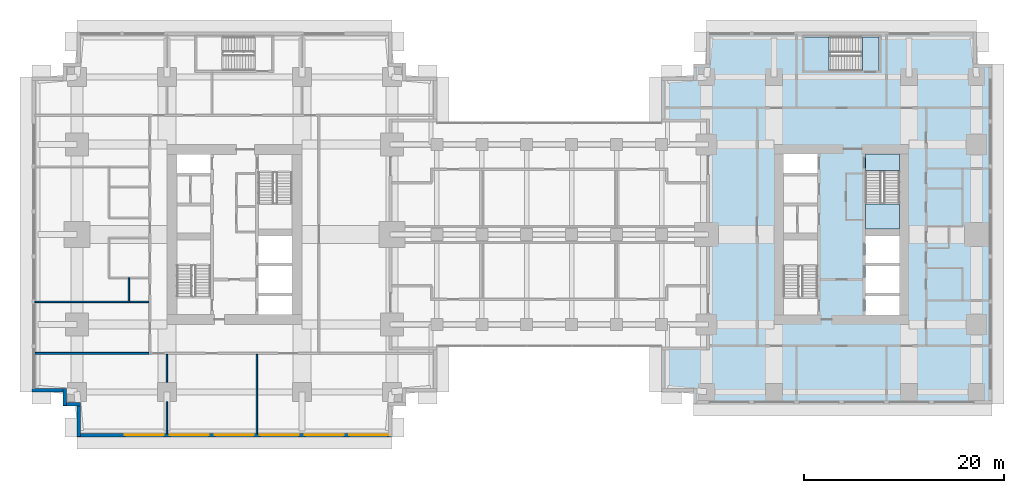
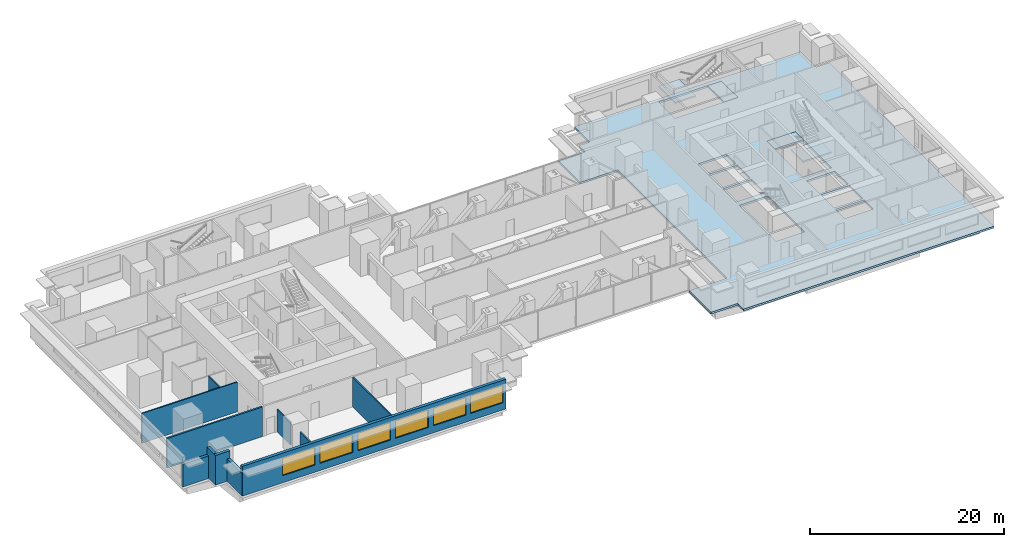
# One storey, part 6 of 16: 11 walls, 6 windows, 5 slabs, 6 openings, 2 elements without a shape of their own.
"""IFC4 building model written with IfcOpenShell, lengths in metres."""

from ifc_helpers import new_model, si_unit, direction, frame, frame_2d, origin, place, context, subcontext, project, spatial, polyline, rectangle, outline, extrude, material, layer, layer_set, type_object, element, fill, aggregate, save


model = new_model("IFC4")

# Units and contexts
model_context = context("Model", 3, precision=1e-05, world=origin(), true_north=direction((0.0, 1.0)))
body_context = subcontext(model_context, "Body", "Model", "MODEL_VIEW")
ifc_project = project(units=[si_unit("LENGTHUNIT", "METRE"), si_unit("AREAUNIT", "SQUARE_METRE"), si_unit("VOLUMEUNIT", "CUBIC_METRE"), si_unit("PLANEANGLEUNIT", "RADIAN"), si_unit("MASSUNIT", "GRAM", prefix="KILO")], contexts=[model_context])

# Site, building, storey
site_placement = place(None, origin())
site = spatial("IfcSite", under=ifc_project, at=site_placement, CompositionType="ELEMENT")
building_placement = place(site_placement, origin())
building = spatial("IfcBuilding", under=site, at=building_placement, Name="Namib Vertical Campus", CompositionType="ELEMENT")
storey_placement = place(building_placement, frame((0.0, 0.0, 113.0)))
storey = spatial("IfcBuildingStorey", under=building, at=storey_placement, Name="L26", CompositionType="ELEMENT", Elevation=113.0)

# Slab
ifc_material_1 = material(Name="Concrete C40/50", Category="concrete")
ifc_layer_1 = layer(ifc_material_1, 0.25)
ifc_layer_set_1 = layer_set([ifc_layer_1], Name="Concrete C40/50")
slab_type_1 = type_object("IfcSlabType", Name="Floor slab 250", PredefinedType="FLOOR", material=ifc_layer_set_1)
slab_1_placement = place(storey_placement, frame((0.0, 0.0, -0.25)))
element("IfcSlab", 1, at=slab_1_placement, inside=storey, type_object=slab_type_1, Name="Floor slab B L26", PredefinedType="FLOOR", context=body_context, shape_type="SweptSolid", body=[
    extrude(outline(polyline([(63.0, 9.0), (63.0, 4.5), (66.199951171875, 4.5), (66.199951171875, 3.300048828125), (96.050048828125, 3.300048828125), (96.050048828125, 37.300048828125), (94.5, 37.300048828125), (94.5, 40.5), (67.5, 40.5), (67.5, 37.300048828125), (66.199951171875, 37.300048828125), (66.199951171875, 36.0), (63.0, 36.0), (63.0, 31.5), (67.5, 31.5), (67.5, 9.0), (63.0, 9.0)]), holes=[polyline([(75.199951171875, 12.199951171875), (78.60009765625, 12.199951171875), (78.60009765625, 19.699951171875), (75.199951171875, 19.699951171875), (75.199951171875, 12.199951171875)]), polyline([(83.39990234375, 20.800048828125), (86.800048828125, 20.800048828125), (86.800048828125, 28.300048828125), (83.39990234375, 28.300048828125), (83.39990234375, 20.800048828125)]), polyline([(83.39990234375, 12.199951171875), (86.800048828125, 12.199951171875), (86.800048828125, 14.10009765625), (83.39990234375, 14.10009765625), (83.39990234375, 12.199951171875)]), polyline([(75.199951171875, 20.39990234375), (78.60009765625, 20.39990234375), (78.60009765625, 23.10009765625), (75.199951171875, 23.10009765625), (75.199951171875, 20.39990234375)]), polyline([(75.199951171875, 23.39990234375), (78.60009765625, 23.39990234375), (78.60009765625, 26.10009765625), (75.199951171875, 26.10009765625), (75.199951171875, 23.39990234375)]), polyline([(75.199951171875, 26.39990234375), (78.60009765625, 26.39990234375), (78.60009765625, 28.300048828125), (75.199951171875, 28.300048828125), (75.199951171875, 26.39990234375)]), polyline([(83.39990234375, 14.39990234375), (86.800048828125, 14.39990234375), (86.800048828125, 17.10009765625), (83.39990234375, 17.10009765625), (83.39990234375, 14.39990234375)]), polyline([(83.39990234375, 17.39990234375), (86.800048828125, 17.39990234375), (86.800048828125, 20.10009765625), (83.39990234375, 20.10009765625), (83.39990234375, 17.39990234375)]), polyline([(77.25, 36.60009765625), (84.75, 36.60009765625), (84.75, 40.0), (77.25, 40.0), (77.25, 36.60009765625)])]), origin(), (0.0, 0.0, 1.0), 0.25),
])

# Stair, slabs
ifc_material_2 = material(Name="Concrete C40/50 precast", Category="concrete")
stair_type = type_object("IfcStairType", Name="Exit stair 4000 rise 24 risers 3400 wide", PredefinedType="HALF_TURN_STAIR", material=ifc_material_2)
stair_1_placement = place(storey_placement, origin())
stair_1 = element("IfcStair", 2, at=stair_1_placement, inside=storey, type_object=stair_type, Name="Exit stair B-S2 L26", PredefinedType="HALF_TURN_STAIR")
ifc_material_3 = material(Name="Concrete C40/50", Category="concrete")
ifc_layer_2 = layer(ifc_material_3, 0.199951171875)
ifc_layer_set_2 = layer_set([ifc_layer_2], Name="Concrete C40/50")
slab_type_2 = type_object("IfcSlabType", Name="Stair landing 200", PredefinedType="LANDING", material=ifc_layer_set_2)
slab_2_placement = place(storey_placement, frame((0.0, 0.0, -0.199951171875)))
slab_2 = element("IfcSlab", 3, at=slab_2_placement, type_object=slab_type_2, Name="B-S2 landing 1", PredefinedType="LANDING", context=body_context, shape_type="SweptSolid", body=[
    extrude(outline(polyline([(83.39990234375, 26.64599609375), (86.800048828125, 26.64599609375), (86.800048828125, 28.300048828125), (83.39990234375, 28.300048828125), (83.39990234375, 26.64599609375)])), origin(), (0.0, 0.0, 1.0), 0.199951171875),
])
slab_3_placement = place(storey_placement, frame((0.0, 0.0, 1.800048828125)))
slab_3 = element("IfcSlab", 4, at=slab_3_placement, type_object=slab_type_2, Name="B-S2 landing 2", PredefinedType="LANDING", context=body_context, shape_type="SweptSolid", body=[
    extrude(outline(polyline([(83.39990234375, 20.800048828125), (86.800048828125, 20.800048828125), (86.800048828125, 23.27392578125), (83.39990234375, 23.27392578125), (83.39990234375, 20.800048828125)])), origin(), (0.0, 0.0, 1.0), 0.199951171875),
])
aggregate(stair_1, [slab_2, slab_3])

stair_2_placement = place(storey_placement, origin())
stair_2 = element("IfcStair", 5, at=stair_2_placement, inside=storey, type_object=stair_type, Name="Exit stair B-S3 L26", PredefinedType="HALF_TURN_STAIR")
slab_4_placement = place(storey_placement, frame((0.0, 0.0, -0.199951171875)))
slab_4 = element("IfcSlab", 6, at=slab_4_placement, type_object=slab_type_2, Name="B-S3 landing 1", PredefinedType="LANDING", context=body_context, shape_type="SweptSolid", body=[
    extrude(outline(polyline([(83.09619140625, 36.60009765625), (83.09619140625, 40.0), (84.75, 40.0), (84.75, 36.60009765625), (83.09619140625, 36.60009765625)])), origin(), (0.0, 0.0, 1.0), 0.199951171875),
])
slab_5_placement = place(storey_placement, frame((0.0, 0.0, 1.800048828125)))
slab_5 = element("IfcSlab", 7, at=slab_5_placement, type_object=slab_type_2, Name="B-S3 landing 2", PredefinedType="LANDING", context=body_context, shape_type="SweptSolid", body=[
    extrude(outline(polyline([(77.25, 36.60009765625), (77.25, 40.0), (79.723876953125, 40.0), (79.723876953125, 36.60009765625), (77.25, 36.60009765625)])), origin(), (0.0, 0.0, 1.0), 0.199951171875),
])
aggregate(stair_2, [slab_4, slab_5])

# Walls
ifc_material_4 = material(Name="Concrete masonry", Category="masonry")
ifc_layer_3 = layer(ifc_material_4, 0.199951171875)
ifc_layer_set_3 = layer_set([ifc_layer_3], Name="Corridor wall 200")
wall_type_1 = type_object("IfcWallType", Name="Corridor wall 200", PredefinedType="SOLIDWALL", material=ifc_layer_set_3)
wall_1_placement = place(storey_placement, frame((0.300048828125, 8.35009765625, 0.0), z_axis=(0.0, 0.0, 1.0), x_axis=(1.0, 0.0, 0.0)))
element("IfcWall", 8, at=wall_1_placement, inside=storey, type_object=wall_type_1, Name="Partition A L26 BSW", PredefinedType="SOLIDWALL", context=body_context, shape_type="SweptSolid", body=[
    extrude(rectangle(XDim=11.39990234375, YDim=0.199951171875, at=frame_2d((5.699951171875, 0.0))), origin(), (0.0, 0.0, 1.0), 3.75),
])
ifc_material_5 = material(Name="Concrete C40/50", Category="concrete")
ifc_layer_4 = layer(ifc_material_5, 0.35009765625)
ifc_layer_set_4 = layer_set([ifc_layer_4], Name="Concrete C40/50")
wall_type_2 = type_object("IfcWallType", Name="External wall 350 bush-hammered concrete", PredefinedType="STANDARD", material=ifc_layer_set_4)
wall_2_placement = place(storey_placement, frame((4.675048828125, 3.429931640625, 0.0), z_axis=(0.0, 0.0, 1.0), x_axis=(0.0, -1.0, 0.0)))
element("IfcWall", 9, at=wall_2_placement, inside=storey, type_object=wall_type_2, Name="External wall L26 F01", PredefinedType="STANDARD", context=body_context, shape_type="SweptSolid", body=[
    extrude(rectangle(XDim=3.409912109375, YDim=0.35009765625, at=frame_2d((1.705078125, 0.0))), origin(), (0.0, 0.0, 1.0), 2.85009765625),
])

# Wall, openings, windows
wall_3_placement = place(storey_placement, frame((4.52001953125, 0.175048828125, 0.0), z_axis=(0.0, 0.0, 1.0), x_axis=(1.0, 0.0, 0.0)))
wall_3 = element("IfcWall", 10, at=wall_3_placement, inside=storey, type_object=wall_type_2, Name="External wall L26 F02", PredefinedType="STANDARD", context=body_context, shape_type="SweptSolid", body=[
    extrude(rectangle(XDim=31.4599609375, YDim=0.35009765625, at=frame_2d((15.72998046875, 0.0))), origin(), (0.0, 0.0, 1.0), 3.75),
])
opening_1_placement = place(wall_3_placement, frame((4.780029296875, 0.0, 0.89990234375)))
opening_1 = element("IfcOpeningElement", 11, at=opening_1_placement, cuts=wall_3, Name="Opening W1", PredefinedType="OPENING", context=body_context, shape_type="SweptSolid", body=[
    extrude(rectangle(XDim=3.89990234375, YDim=2.199951171875, at=frame_2d((1.949951171875, 1.10009765625))), frame((0.0, 0.18505859375, 0.0), z_axis=(0.0, -1.0, 0.0), x_axis=(1.0, 0.0, 0.0)), (0.0, 0.0, 1.0), 0.3701171875),
])
opening_2_placement = place(wall_3_placement, frame((9.280029296875, 0.0, 0.89990234375)))
opening_2 = element("IfcOpeningElement", 12, at=opening_2_placement, cuts=wall_3, Name="Opening W1", PredefinedType="OPENING", context=body_context, shape_type="SweptSolid", body=[
    extrude(rectangle(XDim=3.89990234375, YDim=2.199951171875, at=frame_2d((1.949951171875, 1.10009765625))), frame((0.0, 0.18505859375, 0.0), z_axis=(0.0, -1.0, 0.0), x_axis=(1.0, 0.0, 0.0)), (0.0, 0.0, 1.0), 0.3701171875),
])
opening_3_placement = place(wall_3_placement, frame((13.780029296875, 0.0, 0.89990234375)))
opening_3 = element("IfcOpeningElement", 13, at=opening_3_placement, cuts=wall_3, Name="Opening W1", PredefinedType="OPENING", context=body_context, shape_type="SweptSolid", body=[
    extrude(rectangle(XDim=3.89990234375, YDim=2.199951171875, at=frame_2d((1.949951171875, 1.10009765625))), frame((0.0, 0.18505859375, 0.0), z_axis=(0.0, -1.0, 0.0), x_axis=(1.0, 0.0, 0.0)), (0.0, 0.0, 1.0), 0.3701171875),
])
opening_4_placement = place(wall_3_placement, frame((18.280029296875, 0.0, 0.89990234375)))
opening_4 = element("IfcOpeningElement", 14, at=opening_4_placement, cuts=wall_3, Name="Opening W1", PredefinedType="OPENING", context=body_context, shape_type="SweptSolid", body=[
    extrude(rectangle(XDim=3.89990234375, YDim=2.199951171875, at=frame_2d((1.949951171875, 1.10009765625))), frame((0.0, 0.18505859375, 0.0), z_axis=(0.0, -1.0, 0.0), x_axis=(1.0, 0.0, 0.0)), (0.0, 0.0, 1.0), 0.3701171875),
])
opening_5_placement = place(wall_3_placement, frame((22.780029296875, 0.0, 0.89990234375)))
opening_5 = element("IfcOpeningElement", 15, at=opening_5_placement, cuts=wall_3, Name="Opening W1", PredefinedType="OPENING", context=body_context, shape_type="SweptSolid", body=[
    extrude(rectangle(XDim=3.89990234375, YDim=2.199951171875, at=frame_2d((1.949951171875, 1.10009765625))), frame((0.0, 0.18505859375, 0.0), z_axis=(0.0, -1.0, 0.0), x_axis=(1.0, 0.0, 0.0)), (0.0, 0.0, 1.0), 0.3701171875),
])
opening_6_placement = place(wall_3_placement, frame((27.2099609375, 0.0, 0.89990234375)))
opening_6 = element("IfcOpeningElement", 16, at=opening_6_placement, cuts=wall_3, Name="Opening W1", PredefinedType="OPENING", context=body_context, shape_type="SweptSolid", body=[
    extrude(rectangle(XDim=3.89990234375, YDim=2.199951171875, at=frame_2d((1.949951171875, 1.10009765625))), frame((0.0, 0.18505859375, 0.0), z_axis=(0.0, -1.0, 0.0), x_axis=(1.0, 0.0, 0.0)), (0.0, 0.0, 1.0), 0.3701171875),
])
ifc_material_6 = material(Name="Dark tinted glass in black aluminium frame", Category="aluminium")
window_type = type_object("IfcWindowType", Name="Ribbon window 3900x2200", PartitioningType="SINGLE_PANEL", PredefinedType="WINDOW", material=ifc_material_6)
window_1_placement = place(opening_1_placement, origin())
window_1 = element("IfcWindow", 17, at=window_1_placement, inside=storey, type_object=window_type, Name="Window W1 L26 F02-2", OverallHeight=2.199951171875, OverallWidth=3.89990234375, PartitioningType="SINGLE_PANEL", PredefinedType="WINDOW", context=body_context, shape_type="SweptSolid", body=[
    extrude(rectangle(XDim=3.89990234375, YDim=2.199951171875, at=frame_2d((1.949951171875, 1.10009765625))), frame((0.0, 0.030029296875, 0.0), z_axis=(0.0, -1.0, 0.0), x_axis=(1.0, 0.0, 0.0)), (0.0, 0.0, 1.0), 0.06005859375),
])
fill(opening_1, window_1)
window_2_placement = place(opening_2_placement, origin())
window_2 = element("IfcWindow", 18, at=window_2_placement, inside=storey, type_object=window_type, Name="Window W1 L26 F02-3", OverallHeight=2.199951171875, OverallWidth=3.89990234375, PartitioningType="SINGLE_PANEL", PredefinedType="WINDOW", context=body_context, shape_type="SweptSolid", body=[
    extrude(rectangle(XDim=3.89990234375, YDim=2.199951171875, at=frame_2d((1.949951171875, 1.10009765625))), frame((0.0, 0.030029296875, 0.0), z_axis=(0.0, -1.0, 0.0), x_axis=(1.0, 0.0, 0.0)), (0.0, 0.0, 1.0), 0.06005859375),
])
fill(opening_2, window_2)
window_3_placement = place(opening_3_placement, origin())
window_3 = element("IfcWindow", 19, at=window_3_placement, inside=storey, type_object=window_type, Name="Window W1 L26 F02-4", OverallHeight=2.199951171875, OverallWidth=3.89990234375, PartitioningType="SINGLE_PANEL", PredefinedType="WINDOW", context=body_context, shape_type="SweptSolid", body=[
    extrude(rectangle(XDim=3.89990234375, YDim=2.199951171875, at=frame_2d((1.949951171875, 1.10009765625))), frame((0.0, 0.030029296875, 0.0), z_axis=(0.0, -1.0, 0.0), x_axis=(1.0, 0.0, 0.0)), (0.0, 0.0, 1.0), 0.06005859375),
])
fill(opening_3, window_3)
window_4_placement = place(opening_4_placement, origin())
window_4 = element("IfcWindow", 20, at=window_4_placement, inside=storey, type_object=window_type, Name="Window W1 L26 F02-5", OverallHeight=2.199951171875, OverallWidth=3.89990234375, PartitioningType="SINGLE_PANEL", PredefinedType="WINDOW", context=body_context, shape_type="SweptSolid", body=[
    extrude(rectangle(XDim=3.89990234375, YDim=2.199951171875, at=frame_2d((1.949951171875, 1.10009765625))), frame((0.0, 0.030029296875, 0.0), z_axis=(0.0, -1.0, 0.0), x_axis=(1.0, 0.0, 0.0)), (0.0, 0.0, 1.0), 0.06005859375),
])
fill(opening_4, window_4)
window_5_placement = place(opening_5_placement, origin())
window_5 = element("IfcWindow", 21, at=window_5_placement, inside=storey, type_object=window_type, Name="Window W1 L26 F02-6", OverallHeight=2.199951171875, OverallWidth=3.89990234375, PartitioningType="SINGLE_PANEL", PredefinedType="WINDOW", context=body_context, shape_type="SweptSolid", body=[
    extrude(rectangle(XDim=3.89990234375, YDim=2.199951171875, at=frame_2d((1.949951171875, 1.10009765625))), frame((0.0, 0.030029296875, 0.0), z_axis=(0.0, -1.0, 0.0), x_axis=(1.0, 0.0, 0.0)), (0.0, 0.0, 1.0), 0.06005859375),
])
fill(opening_5, window_5)
window_6_placement = place(opening_6_placement, origin())
window_6 = element("IfcWindow", 22, at=window_6_placement, inside=storey, type_object=window_type, Name="Window W1 L26 F02-7", OverallHeight=2.199951171875, OverallWidth=3.89990234375, PartitioningType="SINGLE_PANEL", PredefinedType="WINDOW", context=body_context, shape_type="SweptSolid", body=[
    extrude(rectangle(XDim=3.89990234375, YDim=2.199951171875, at=frame_2d((1.949951171875, 1.10009765625))), frame((0.0, 0.030029296875, 0.0), z_axis=(0.0, -1.0, 0.0), x_axis=(1.0, 0.0, 0.0)), (0.0, 0.0, 1.0), 0.06005859375),
])
fill(opening_6, window_6)

# Walls
wall_4_placement = place(storey_placement, frame((0.02001953125, 4.675048828125, 0.0), z_axis=(0.0, 0.0, 1.0), x_axis=(1.0, 0.0, 0.0)))
element("IfcWall", 23, at=wall_4_placement, inside=storey, type_object=wall_type_2, Name="External wall L26 F22", PredefinedType="STANDARD", context=body_context, shape_type="SweptSolid", body=[
    extrude(rectangle(XDim=3.409912109375, YDim=0.35009765625, at=frame_2d((1.705078125, 0.0))), origin(), (0.0, 0.0, 1.0), 2.85009765625),
])
for number, where, z_axis, x_axis, name in (
    (24, (3.27490234375, 4.830078125, 0.0), (0.0, 0.0, 1.0), (0.0, -1.0, 0.0), "External wall L26 F23"),
    (25, (3.1201171875, 3.27490234375, 0.0), (0.0, 0.0, 1.0), (1.0, 0.0, 0.0), "External wall L26 F24"),
):
    element("IfcWall", number, at=place(storey_placement, frame(where, z_axis=z_axis, x_axis=x_axis)), inside=storey, type_object=wall_type_2, Name=name, PredefinedType="STANDARD", context=body_context, shape_type="SweptSolid", body=[
        extrude(rectangle(XDim=1.7099609375, YDim=0.35009765625, at=frame_2d((0.85498046875, 0.0))), origin(), (0.0, 0.0, 1.0), 3.75),
    ])
ifc_material_7 = material(Name="Gypsum board on steel studs", Category="steel")
ifc_layer_5 = layer(ifc_material_7, 0.14990234375)
ifc_layer_set_5 = layer_set([ifc_layer_5], Name="Gypsum board on steel studs")
wall_type_3 = type_object("IfcWallType", Name="Partition 150", PredefinedType="PARTITIONING", material=ifc_layer_set_5)
wall_5_placement = place(storey_placement, frame((13.5, 0.300048828125, 0.0), z_axis=(0.0, 0.0, 1.0), x_axis=(0.0, 1.0, 0.0)))
element("IfcWall", 26, at=wall_5_placement, inside=storey, type_object=wall_type_3, Name="Partition A L26 PS1", PredefinedType="PARTITIONING", context=body_context, shape_type="SweptSolid", body=[
    extrude(rectangle(XDim=3.22998046875, YDim=0.14990234375, at=frame_2d((1.614990234375, 0.0))), origin(), (0.0, 0.0, 1.0), 2.85009765625),
])
wall_6_placement = place(storey_placement, frame((13.5, 5.469970703125, 0.0), z_axis=(0.0, 0.0, 1.0), x_axis=(0.0, 1.0, 0.0)))
element("IfcWall", 27, at=wall_6_placement, inside=storey, type_object=wall_type_3, Name="Partition A L26 PS1", PredefinedType="PARTITIONING", context=body_context, shape_type="SweptSolid", body=[
    extrude(rectangle(XDim=2.780029296875, YDim=0.14990234375, at=frame_2d((1.39013671875, 0.0))), origin(), (0.0, 0.0, 1.0), 2.85009765625),
])
wall_7_placement = place(storey_placement, frame((22.5, 0.300048828125, 0.0), z_axis=(0.0, 0.0, 1.0), x_axis=(0.0, 1.0, 0.0)))
element("IfcWall", 28, at=wall_7_placement, inside=storey, type_object=wall_type_3, Name="Partition A L26 PS2", PredefinedType="PARTITIONING", context=body_context, shape_type="SweptSolid", body=[
    extrude(rectangle(XDim=7.949951171875, YDim=0.14990234375, at=frame_2d((3.97509765625, 0.0))), origin(), (0.0, 0.0, 1.0), 3.75),
])
wall_8_placement = place(storey_placement, frame((0.300048828125, 13.5, 0.0), z_axis=(0.0, 0.0, 1.0), x_axis=(1.0, 0.0, 0.0)))
element("IfcWall", 29, at=wall_8_placement, inside=storey, type_object=wall_type_3, Name="Partition A L26 PW1", PredefinedType="PARTITIONING", context=body_context, shape_type="SweptSolid", body=[
    extrude(rectangle(XDim=11.39990234375, YDim=0.14990234375, at=frame_2d((5.699951171875, 0.0))), origin(), (0.0, 0.0, 1.0), 3.75),
])
wall_9_placement = place(storey_placement, frame((9.699951171875, 13.5, 0.0), z_axis=(0.0, 0.0, 1.0), x_axis=(0.0, 1.0, 0.0)))
element("IfcWall", 30, at=wall_9_placement, inside=storey, type_object=wall_type_3, Name="Partition A L26 WB1", PredefinedType="PARTITIONING", context=body_context, shape_type="SweptSolid", body=[
    extrude(rectangle(XDim=2.39990234375, YDim=0.14990234375, at=frame_2d((1.199951171875, 0.0))), origin(), (0.0, 0.0, 1.0), 3.75),
])

save(model, "model.ifc")
